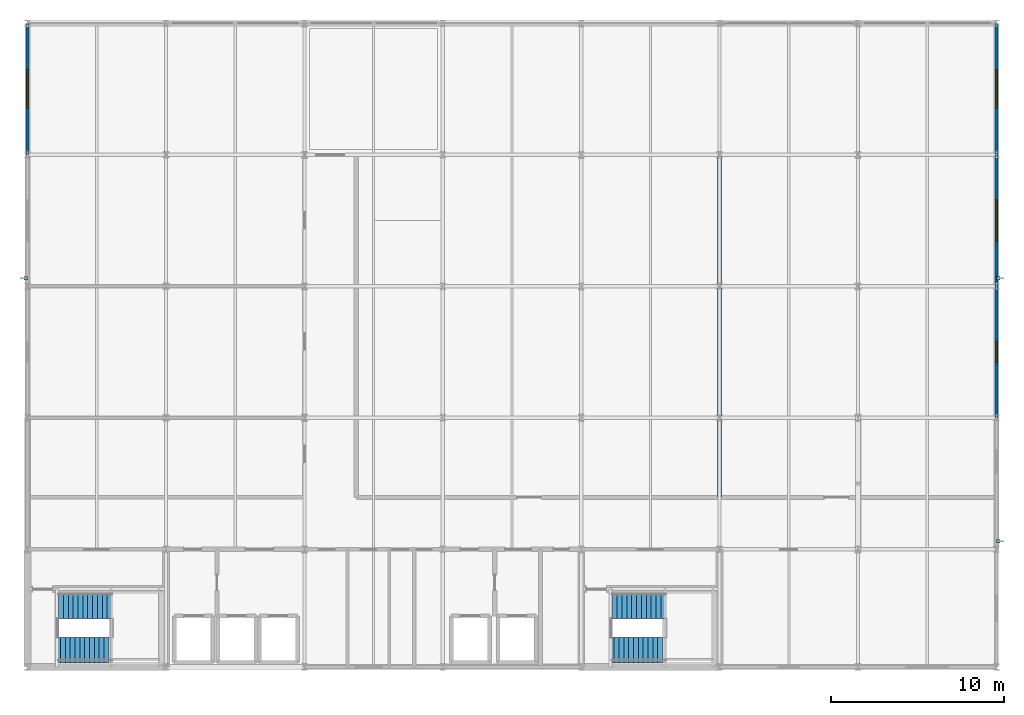
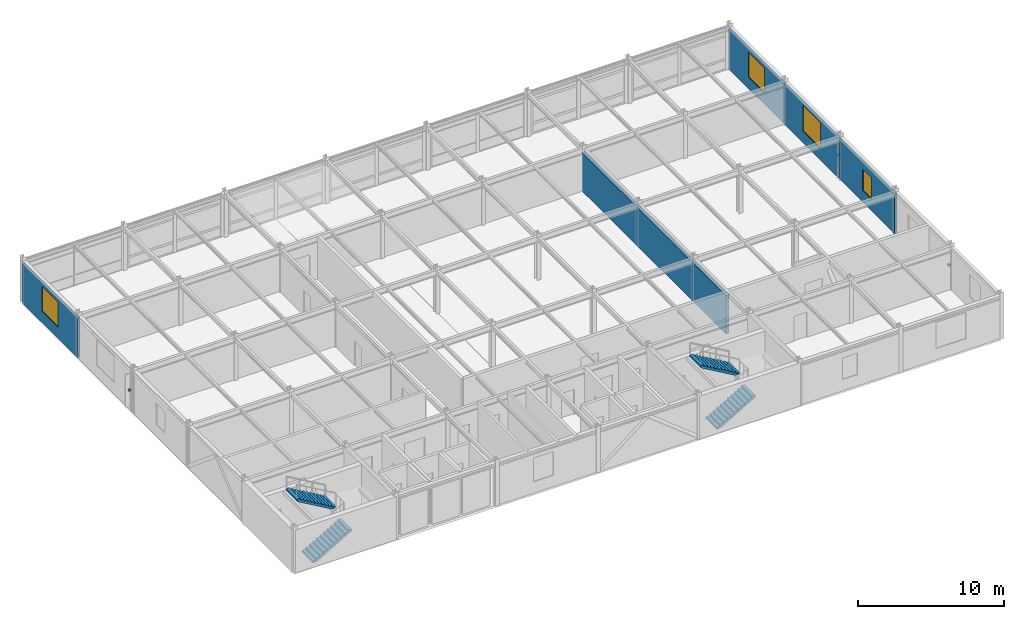
# One storey, part 13 of 15: 5 walls, 4 stair flights, 4 windows, 3 discrete accessories, 4 openings, 2 elements without a shape of their own.
"""IFC4 building model written with IfcOpenShell, lengths in metres."""

from ifc_helpers import new_model, si_unit, direction, frame, frame_2d, origin, origin_2d, place, context, subcontext, project, spatial, polyline, rectangle, outline, extrude, material, layer, layer_set, type_object, element, fill, aggregate, save


model = new_model("IFC4")

# Units and contexts
model_context = context("Model", 3, precision=1e-05, world=origin(), true_north=direction((0.0, 1.0)))
body_context = subcontext(model_context, "Body", "Model", "MODEL_VIEW")
ifc_project = project(units=[si_unit("LENGTHUNIT", "METRE"), si_unit("AREAUNIT", "SQUARE_METRE"), si_unit("VOLUMEUNIT", "CUBIC_METRE"), si_unit("PLANEANGLEUNIT", "RADIAN"), si_unit("MASSUNIT", "GRAM", prefix="KILO")], contexts=[model_context])

# Site, building, storey
site_placement = place(None, origin())
site = spatial("IfcSite", under=ifc_project, at=site_placement, CompositionType="ELEMENT")
building_placement = place(site_placement, origin())
building = spatial("IfcBuilding", under=site, at=building_placement, Name="Shalkamar Park Central Library", CompositionType="ELEMENT")
storey_placement = place(building_placement, frame((0.0, 0.0, 47.699951171875)))
storey = spatial("IfcBuildingStorey", under=building, at=storey_placement, Name="L12", CompositionType="ELEMENT", Elevation=47.699951171875)

# Wall
ifc_material_1 = material(Name="Reinforced fire-compartment masonry wall", Category="masonry")
ifc_layer_1 = layer(ifc_material_1, 0.239990234375)
ifc_layer_set_1 = layer_set([ifc_layer_1], Name="CompartmentWall_240")
wall_type_1 = type_object("IfcWallType", Name="Compartment Wall 240", PredefinedType="PARTITIONING", material=ifc_layer_set_1)
wall_1_placement = place(storey_placement, frame((205.0, 258.199951171875, 0.0), z_axis=(0.0, 0.0, 1.0), x_axis=(0.0, 1.0, 0.0)))
element("IfcWall", 1, at=wall_1_placement, inside=storey, type_object=wall_type_1, Name="Interior Partition WL-INT-L12-017", PredefinedType="PARTITIONING", context=body_context, shape_type="SweptSolid", body=[
    extrude(rectangle(XDim=19.800048828125, YDim=0.239990234375, at=frame_2d((9.89990234375, 0.0))), origin(), (0.0, 0.0, 1.0), 3.2080078125),
])

# Wall, opening, window
ifc_material_2 = material(Name="Terracotta insulated wall panel", Category="masonry")
ifc_layer_2 = layer(ifc_material_2, 0.179931640625)
ifc_layer_set_2 = layer_set([ifc_layer_2], Name="TowerSpandrelWall_180")
wall_type_2 = type_object("IfcWallType", Name="Tower Spandrel Wall 180", PredefinedType="SOLIDWALL", material=ifc_layer_set_2)
wall_2_placement = place(storey_placement, frame((165.0, 278.006103515625, 0.0), z_axis=(0.0, 0.0, 1.0), x_axis=(0.0, 1.0, 0.0)))
wall_2 = element("IfcWall", 2, at=wall_2_placement, inside=storey, type_object=wall_type_2, Name="Exterior Facade Wall WL-EXT-L12-230", PredefinedType="SOLIDWALL", context=body_context, shape_type="SweptSolid", body=[
    extrude(rectangle(XDim=7.587890625, YDim=0.179931640625, at=frame_2d((3.7939453125, 0.0))), origin(), (0.0, 0.0, 1.0), 3.338134765625),
])
opening_1_placement = place(wall_2_placement, frame((2.694091796875, 0.0, 0.949951171875)))
opening_1 = element("IfcOpeningElement", 3, at=opening_1_placement, cuts=wall_2, Name="Opening WN-10", PredefinedType="OPENING", context=body_context, shape_type="SweptSolid", body=[
    extrude(rectangle(XDim=2.199951171875, YDim=2.10009765625, at=frame_2d((1.10009765625, 1.050048828125))), frame((0.0, 0.10498046875, 0.0), z_axis=(0.0, -1.0, 0.0), x_axis=(1.0, 0.0, 0.0)), (0.0, 0.0, 1.0), 0.209716796875),
])
ifc_material_3 = material(Name="Thermally broken aluminium and triple low-e glass", Category="glass")
window_type_1 = type_object("IfcWindowType", Name="Tower Window 2200x2100", PartitioningType="DOUBLE_PANEL_VERTICAL", PredefinedType="WINDOW", material=ifc_material_3)
window_1_placement = place(opening_1_placement, origin())
window_1 = element("IfcWindow", 4, at=window_1_placement, inside=storey, type_object=window_type_1, Name="Facade Window WN-L12-167", OverallHeight=2.10009765625, OverallWidth=2.199951171875, PartitioningType="DOUBLE_PANEL_VERTICAL", PredefinedType="WINDOW", context=body_context, shape_type="SweptSolid", body=[
    extrude(rectangle(XDim=2.199951171875, YDim=2.10009765625, at=frame_2d((1.10009765625, 1.050048828125))), frame((0.0, 0.030029296875, 0.0), z_axis=(0.0, -1.0, 0.0), x_axis=(1.0, 0.0, 0.0)), (0.0, 0.0, 1.0), 0.06005859375),
])
fill(opening_1, window_1)

wall_3_placement = place(storey_placement, frame((221.0, 262.805908203125, 0.0), z_axis=(0.0, 0.0, 1.0), x_axis=(0.0, 1.0, 0.0)))
wall_3 = element("IfcWall", 5, at=wall_3_placement, inside=storey, type_object=wall_type_2, Name="Exterior Facade Wall WL-EXT-L12-233", PredefinedType="SOLIDWALL", context=body_context, shape_type="SweptSolid", body=[
    extrude(rectangle(XDim=7.588134765625, YDim=0.179931640625, at=frame_2d((3.7939453125, 0.0))), origin(), (0.0, 0.0, 1.0), 3.338134765625),
])
opening_2_placement = place(wall_3_placement, frame((3.194091796875, 0.0, 0.949951171875)))
opening_2 = element("IfcOpeningElement", 6, at=opening_2_placement, cuts=wall_3, Name="Opening WN-16", PredefinedType="OPENING", context=body_context, shape_type="SweptSolid", body=[
    extrude(rectangle(XDim=1.199951171875, YDim=1.800048828125, at=frame_2d((0.60009765625, 0.89990234375))), frame((0.0, 0.10498046875, 0.0), z_axis=(0.0, -1.0, 0.0), x_axis=(1.0, 0.0, 0.0)), (0.0, 0.0, 1.0), 0.209716796875),
])
window_type_2 = type_object("IfcWindowType", Name="Tower Window 1200x1800", PartitioningType="SINGLE_PANEL", PredefinedType="WINDOW", material=ifc_material_3)
window_2_placement = place(opening_2_placement, origin())
window_2 = element("IfcWindow", 7, at=window_2_placement, inside=storey, type_object=window_type_2, Name="Facade Window WN-L12-170", OverallHeight=1.800048828125, OverallWidth=1.199951171875, PartitioningType="SINGLE_PANEL", PredefinedType="WINDOW", context=body_context, shape_type="SweptSolid", body=[
    extrude(rectangle(XDim=1.199951171875, YDim=1.800048828125, at=frame_2d((0.60009765625, 0.89990234375))), frame((0.0, 0.030029296875, 0.0), z_axis=(0.0, -1.0, 0.0), x_axis=(1.0, 0.0, 0.0)), (0.0, 0.0, 1.0), 0.06005859375),
])
fill(opening_2, window_2)

wall_4_placement = place(storey_placement, frame((221.0, 270.406005859375, 0.0), z_axis=(0.0, 0.0, 1.0), x_axis=(0.0, 1.0, 0.0)))
wall_4 = element("IfcWall", 8, at=wall_4_placement, inside=storey, type_object=wall_type_2, Name="Exterior Facade Wall WL-EXT-L12-234", PredefinedType="SOLIDWALL", context=body_context, shape_type="SweptSolid", body=[
    extrude(rectangle(XDim=7.587890625, YDim=0.179931640625, at=frame_2d((3.7939453125, 0.0))), origin(), (0.0, 0.0, 1.0), 3.338134765625),
])
opening_3_placement = place(wall_4_placement, frame((2.593994140625, 0.0, 0.949951171875)))
opening_3 = element("IfcOpeningElement", 9, at=opening_3_placement, cuts=wall_4, Name="Opening WN-09", PredefinedType="OPENING", context=body_context, shape_type="SweptSolid", body=[
    extrude(rectangle(XDim=2.39990234375, YDim=2.199951171875, at=frame_2d((1.199951171875, 1.10009765625))), frame((0.0, 0.10498046875, 0.0), z_axis=(0.0, -1.0, 0.0), x_axis=(1.0, 0.0, 0.0)), (0.0, 0.0, 1.0), 0.209716796875),
])
window_type_3 = type_object("IfcWindowType", Name="Tower Window 2400x2200", PartitioningType="DOUBLE_PANEL_VERTICAL", PredefinedType="WINDOW", material=ifc_material_3)
window_3_placement = place(opening_3_placement, origin())
window_3 = element("IfcWindow", 10, at=window_3_placement, inside=storey, type_object=window_type_3, Name="Facade Window WN-L12-171", OverallHeight=2.199951171875, OverallWidth=2.39990234375, PartitioningType="DOUBLE_PANEL_VERTICAL", PredefinedType="WINDOW", context=body_context, shape_type="SweptSolid", body=[
    extrude(rectangle(XDim=2.39990234375, YDim=2.199951171875, at=frame_2d((1.199951171875, 1.10009765625))), frame((0.0, 0.030029296875, 0.0), z_axis=(0.0, -1.0, 0.0), x_axis=(1.0, 0.0, 0.0)), (0.0, 0.0, 1.0), 0.06005859375),
])
fill(opening_3, window_3)

wall_5_placement = place(storey_placement, frame((221.0, 278.006103515625, 0.0), z_axis=(0.0, 0.0, 1.0), x_axis=(0.0, 1.0, 0.0)))
wall_5 = element("IfcWall", 11, at=wall_5_placement, inside=storey, type_object=wall_type_2, Name="Exterior Facade Wall WL-EXT-L12-235", PredefinedType="SOLIDWALL", context=body_context, shape_type="SweptSolid", body=[
    extrude(rectangle(XDim=7.587890625, YDim=0.179931640625, at=frame_2d((3.7939453125, 0.0))), origin(), (0.0, 0.0, 1.0), 3.338134765625),
])
opening_4_placement = place(wall_5_placement, frame((2.694091796875, 0.0, 0.949951171875)))
opening_4 = element("IfcOpeningElement", 12, at=opening_4_placement, cuts=wall_5, Name="Opening WN-10", PredefinedType="OPENING", context=body_context, shape_type="SweptSolid", body=[
    extrude(rectangle(XDim=2.199951171875, YDim=2.10009765625, at=frame_2d((1.10009765625, 1.050048828125))), frame((0.0, 0.10498046875, 0.0), z_axis=(0.0, -1.0, 0.0), x_axis=(1.0, 0.0, 0.0)), (0.0, 0.0, 1.0), 0.209716796875),
])
window_4_placement = place(opening_4_placement, origin())
window_4 = element("IfcWindow", 13, at=window_4_placement, inside=storey, type_object=window_type_1, Name="Facade Window WN-L12-172", OverallHeight=2.10009765625, OverallWidth=2.199951171875, PartitioningType="DOUBLE_PANEL_VERTICAL", PredefinedType="WINDOW", context=body_context, shape_type="SweptSolid", body=[
    extrude(rectangle(XDim=2.199951171875, YDim=2.10009765625, at=frame_2d((1.10009765625, 1.050048828125))), frame((0.0, 0.030029296875, 0.0), z_axis=(0.0, -1.0, 0.0), x_axis=(1.0, 0.0, 0.0)), (0.0, 0.0, 1.0), 0.06005859375),
])
fill(opening_4, window_4)

# Stair, stair flights
ifc_material_4 = material(Name="Concrete C35/45", Category="concrete")
stair_type = type_object("IfcStairType", Name="Protected Dog Leg Stair 150x390", PredefinedType="TWO_STRAIGHT_RUN_STAIR", material=ifc_material_4)
stair_1_placement = place(storey_placement, origin())
stair_1 = element("IfcStair", 14, at=stair_1_placement, inside=storey, type_object=stair_type, Name="Protected Core Stair ST-T1-L12", PredefinedType="TWO_STRAIGHT_RUN_STAIR")
stair_flight_type = type_object("IfcStairFlightType", Name="Straight Stair Flight 150x390", PredefinedType="STRAIGHT", material=ifc_material_4)
stair_flight_1_placement = place(storey_placement, frame((166.6201171875, 249.389892578125, 0.0), z_axis=(0.0, 0.0, 1.0), x_axis=(1.0, 0.0, 0.0)))
stair_flight_1 = element("IfcStairFlight", 15, at=stair_flight_1_placement, type_object=stair_flight_type, Name="ST-T1-L12 flight 1", NumberOfRisers=12, NumberOfTreads=11, PredefinedType="STRAIGHT", RiserHeight=0.1625, TreadLength=0.28, context=body_context, shape_type="SweptSolid", body=[
    extrude(outline(polyline([(0.0, 0.0), (0.0, 0.16259765625), (0.280029296875, 0.16259765625), (0.280029296875, 0.324951171875), (0.56005859375, 0.324951171875), (0.56005859375, 0.487548828125), (0.840087890625, 0.487548828125), (0.840087890625, 0.64990234375), (1.1201171875, 0.64990234375), (1.1201171875, 0.8125), (1.39990234375, 0.8125), (1.39990234375, 0.97509765625), (1.679931640625, 0.97509765625), (1.679931640625, 1.137451171875), (1.9599609375, 1.137451171875), (1.9599609375, 1.300048828125), (2.239990234375, 1.300048828125), (2.239990234375, 1.46240234375), (2.52001953125, 1.46240234375), (2.52001953125, 1.625), (2.800048828125, 1.625), (2.800048828125, 1.78759765625), (3.080078125, 1.78759765625), (3.080078125, 1.949951171875), (3.080078125, 1.6142578125), (0.298583984375, 0.0), (0.0, 0.0)])), frame((0.0, 0.75, 0.0), z_axis=(0.0, -1.0, 0.0), x_axis=(1.0, 0.0, 0.0)), (0.0, 0.0, 1.0), 1.5),
])
stair_flight_2_placement = place(storey_placement, frame((169.8798828125, 251.909912109375, 1.949951171875), z_axis=(0.0, 0.0, 1.0), x_axis=(-1.0, 0.0, 0.0)))
stair_flight_2 = element("IfcStairFlight", 16, at=stair_flight_2_placement, type_object=stair_flight_type, Name="ST-T1-L12 flight 2", NumberOfRisers=12, NumberOfTreads=11, PredefinedType="STRAIGHT", RiserHeight=0.1625, TreadLength=0.28, context=body_context, shape_type="SweptSolid", body=[
    extrude(outline(polyline([(0.0, 0.0), (0.0, 0.16259765625), (0.280029296875, 0.16259765625), (0.280029296875, 0.324951171875), (0.56005859375, 0.324951171875), (0.56005859375, 0.487548828125), (0.840087890625, 0.487548828125), (0.840087890625, 0.64990234375), (1.1201171875, 0.64990234375), (1.1201171875, 0.8125), (1.39990234375, 0.8125), (1.39990234375, 0.97509765625), (1.679931640625, 0.97509765625), (1.679931640625, 1.137451171875), (1.9599609375, 1.137451171875), (1.9599609375, 1.300048828125), (2.239990234375, 1.300048828125), (2.239990234375, 1.46240234375), (2.52001953125, 1.46240234375), (2.52001953125, 1.625), (2.800048828125, 1.625), (2.800048828125, 1.78759765625), (3.080078125, 1.78759765625), (3.080078125, 1.949951171875), (3.080078125, 1.6142578125), (0.298583984375, 0.0), (0.0, 0.0)])), frame((0.0, 0.75, 0.0), z_axis=(0.0, -1.0, 0.0), x_axis=(1.0, 0.0, 0.0)), (0.0, 0.0, 1.0), 1.5),
])
aggregate(stair_1, [stair_flight_1, stair_flight_2])

stair_2_placement = place(storey_placement, origin())
stair_2 = element("IfcStair", 17, at=stair_2_placement, inside=storey, type_object=stair_type, Name="Protected Core Stair ST-T2-L12", PredefinedType="TWO_STRAIGHT_RUN_STAIR")
stair_flight_3_placement = place(storey_placement, frame((198.6201171875, 249.389892578125, 0.0), z_axis=(0.0, 0.0, 1.0), x_axis=(1.0, 0.0, 0.0)))
stair_flight_3 = element("IfcStairFlight", 18, at=stair_flight_3_placement, type_object=stair_flight_type, Name="ST-T2-L12 flight 1", NumberOfRisers=12, NumberOfTreads=11, PredefinedType="STRAIGHT", RiserHeight=0.1625, TreadLength=0.28, context=body_context, shape_type="SweptSolid", body=[
    extrude(outline(polyline([(0.0, 0.0), (0.0, 0.16259765625), (0.280029296875, 0.16259765625), (0.280029296875, 0.324951171875), (0.56005859375, 0.324951171875), (0.56005859375, 0.487548828125), (0.840087890625, 0.487548828125), (0.840087890625, 0.64990234375), (1.1201171875, 0.64990234375), (1.1201171875, 0.8125), (1.39990234375, 0.8125), (1.39990234375, 0.97509765625), (1.679931640625, 0.97509765625), (1.679931640625, 1.137451171875), (1.9599609375, 1.137451171875), (1.9599609375, 1.300048828125), (2.239990234375, 1.300048828125), (2.239990234375, 1.46240234375), (2.52001953125, 1.46240234375), (2.52001953125, 1.625), (2.800048828125, 1.625), (2.800048828125, 1.78759765625), (3.080078125, 1.78759765625), (3.080078125, 1.949951171875), (3.080078125, 1.6142578125), (0.298583984375, 0.0), (0.0, 0.0)])), frame((0.0, 0.75, 0.0), z_axis=(0.0, -1.0, 0.0), x_axis=(1.0, 0.0, 0.0)), (0.0, 0.0, 1.0), 1.5),
])
stair_flight_4_placement = place(storey_placement, frame((201.8798828125, 251.909912109375, 1.949951171875), z_axis=(0.0, 0.0, 1.0), x_axis=(-1.0, 0.0, 0.0)))
stair_flight_4 = element("IfcStairFlight", 19, at=stair_flight_4_placement, type_object=stair_flight_type, Name="ST-T2-L12 flight 2", NumberOfRisers=12, NumberOfTreads=11, PredefinedType="STRAIGHT", RiserHeight=0.1625, TreadLength=0.28, context=body_context, shape_type="SweptSolid", body=[
    extrude(outline(polyline([(0.0, 0.0), (0.0, 0.16259765625), (0.280029296875, 0.16259765625), (0.280029296875, 0.324951171875), (0.56005859375, 0.324951171875), (0.56005859375, 0.487548828125), (0.840087890625, 0.487548828125), (0.840087890625, 0.64990234375), (1.1201171875, 0.64990234375), (1.1201171875, 0.8125), (1.39990234375, 0.8125), (1.39990234375, 0.97509765625), (1.679931640625, 0.97509765625), (1.679931640625, 1.137451171875), (1.9599609375, 1.137451171875), (1.9599609375, 1.300048828125), (2.239990234375, 1.300048828125), (2.239990234375, 1.46240234375), (2.52001953125, 1.46240234375), (2.52001953125, 1.625), (2.800048828125, 1.625), (2.800048828125, 1.78759765625), (3.080078125, 1.78759765625), (3.080078125, 1.949951171875), (3.080078125, 1.6142578125), (0.298583984375, 0.0), (0.0, 0.0)])), frame((0.0, 0.75, 0.0), z_axis=(0.0, -1.0, 0.0), x_axis=(1.0, 0.0, 0.0)), (0.0, 0.0, 1.0), 1.5),
])
aggregate(stair_2, [stair_flight_3, stair_flight_4])

# Discrete accessories
ifc_material_5 = material(Name="Steel S355", Category="steel")
discrete_accessory_type = type_object("IfcDiscreteAccessoryType", Name="Stainless Facade Bracket", PredefinedType="BRACKET", material=ifc_material_5)
for number, where, z_axis, x_axis, name in (
    (20, (164.909912109375, 270.85595703125, 1.5888671875), (0.0, 0.0, 1.0), (1.0, 0.0, 0.0), "Solar Fin Bracket L12-017"),
    (21, (221.090087890625, 255.656005859375, 1.5888671875), (0.0, 0.0, 1.0), (1.0, 0.0, 0.0), "Solar Fin Bracket L12-018"),
    (22, (221.090087890625, 270.85595703125, 1.5888671875), (0.0, 0.0, 1.0), (1.0, 0.0, 0.0), "Solar Fin Bracket L12-019"),
):
    element("IfcDiscreteAccessory", number, at=place(storey_placement, frame(where, z_axis=z_axis, x_axis=x_axis)), inside=storey, type_object=discrete_accessory_type, Name=name, PredefinedType="BRACKET", context=body_context, shape_type="SweptSolid", body=[
        extrude(rectangle(XDim=0.199951171875, YDim=0.199951171875, at=origin_2d()), origin(), (0.0, 0.0, 1.0), 0.159912109375),
    ])

save(model, "model.ifc")
